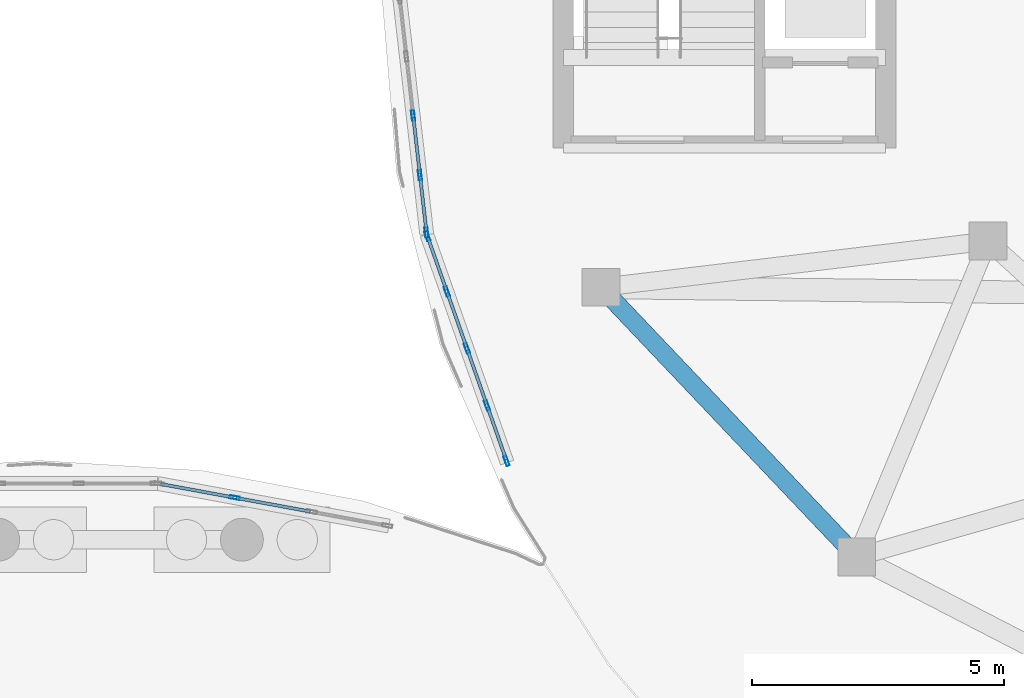
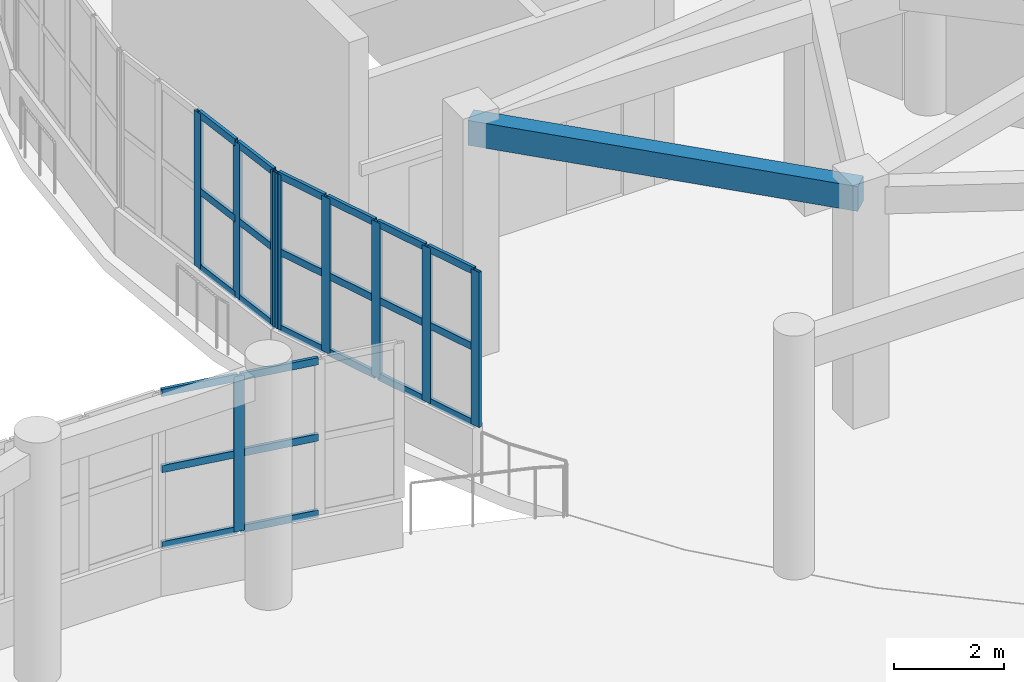
# One storey, part 39 of 96: 33 members, 1 beam, 3 elements without a shape of their own.
"""IFC4 building model written with IfcOpenShell, lengths in metres."""

from ifc_helpers import new_model, si_unit, direction, frame, origin, origin_2d, place, context, subcontext, project, spatial, rectangle, hollow_rectangle, extrude, material, layer, layer_set, material_profile, profile_set, type_object, element, aggregate, save


model = new_model("IFC4")

# Units and contexts
model_context = context("Model", 3, precision=1e-05, world=origin(), true_north=direction((0.0, 1.0)))
body_context = subcontext(model_context, "Body", "Model", "MODEL_VIEW")
ifc_project = project(units=[si_unit("LENGTHUNIT", "METRE"), si_unit("AREAUNIT", "SQUARE_METRE"), si_unit("VOLUMEUNIT", "CUBIC_METRE"), si_unit("PLANEANGLEUNIT", "RADIAN"), si_unit("MASSUNIT", "GRAM", prefix="KILO")], contexts=[model_context])

# Site, building, storey
site_placement = place(None, origin())
site = spatial("IfcSite", under=ifc_project, at=site_placement, CompositionType="ELEMENT")
building_placement = place(site_placement, origin())
building = spatial("IfcBuilding", under=site, at=building_placement, Name="Pelvatis Terrace Science Centre", CompositionType="ELEMENT")
storey_placement = place(building_placement, origin())
storey = spatial("IfcBuildingStorey", under=building, at=storey_placement, Name="L00", CompositionType="ELEMENT", Elevation=0.0)

# Beam
ifc_material_1 = material(Name="Concrete C35/45", Category="concrete")
ifc_material_profile_1 = material_profile(ifc_material_1, rectangle(XDim=0.360107421875, YDim=0.550048828125, at=origin_2d()), Name="RC-BM 360x550")
ifc_profile_set_1 = profile_set([ifc_material_profile_1], Name="Concrete C35/45")
beam_type = type_object("IfcBeamType", Name="BM-RC-360x550", PredefinedType="BEAM", material=ifc_profile_set_1)
beam_placement = place(storey_placement, frame((87.548583984375, 76.43798828125, 4.864990234375), z_axis=(0.688284988325, -0.725440400616, 0.0), x_axis=(0.725440400616, 0.688284988325, 0.0)))
element("IfcBeam", 1, at=beam_placement, inside=storey, type_object=beam_type, Name="Beam BM-L00-2273", PredefinedType="BEAM", context=body_context, shape_type="SweptSolid", body=[
    extrude(rectangle(XDim=0.360107421875, YDim=0.550048828125, at=origin_2d()), origin(), (0.0, 0.0, 1.0), 7.37890625),
])

# Curtain wall, member
ifc_material_2 = material(Name="Bronze-anodised aluminium and laminated glass", Category="aluminium")
ifc_layer = layer(ifc_material_2, 0.199951171875)
ifc_layer_set = layer_set([ifc_layer], Name="Bronze-anodised aluminium and laminated glass")
curtain_wall_type = type_object("IfcCurtainWallType", Name="CW-RIBBON-B", PredefinedType="NOTDEFINED", material=ifc_layer_set)
curtain_wall_1_placement = place(storey_placement, origin())
curtain_wall_1 = element("IfcCurtainWall", 2, at=curtain_wall_1_placement, inside=storey, type_object=curtain_wall_type, Name="Ribbon curtain wall CW-045 (L00)", PredefinedType="NOTDEFINED")
ifc_material_3 = material(Name="Bronze-anodised aluminium 6063-T6", Category="aluminium")
ifc_material_profile_2 = material_profile(ifc_material_3, hollow_rectangle(XDim=0.06494140625, YDim=0.199951171875, WallThickness=0.00439453125, at=origin_2d()), Name="ALU-MUL 65x200")
ifc_profile_set_2 = profile_set([ifc_material_profile_2], Name="Bronze-anodised aluminium 6063-T6")
member_type_1 = type_object("IfcMemberType", Name="CWM-65x200", PredefinedType="MULLION", material=ifc_profile_set_2)
member_1_placement = place(storey_placement, frame((80.27685546875, 72.26171875, 1.02001953125), z_axis=(0.0, 0.0, 1.0), x_axis=(-0.181130259216, -0.983459114146, 0.0)))
member_1 = element("IfcMember", 3, at=member_1_placement, type_object=member_type_1, Name="CW-045 mullion 3", PredefinedType="MULLION", context=body_context, shape_type="SweptSolid", body=[
    extrude(hollow_rectangle(XDim=0.06494140625, YDim=0.199951171875, WallThickness=0.00439453125, at=origin_2d()), origin(), (0.0, 0.0, 1.0), 3.43994140625),
])

# Curtain wall, members
curtain_wall_2_placement = place(storey_placement, origin())
curtain_wall_2 = element("IfcCurtainWall", 4, at=curtain_wall_2_placement, inside=storey, type_object=curtain_wall_type, Name="Ribbon curtain wall CW-116 (L00)", PredefinedType="NOTDEFINED")
member_2_placement = place(storey_placement, frame((83.819580078125, 79.84423828125, 1.02001953125), z_axis=(0.0, 0.0, 1.0), x_axis=(0.993519479858, 0.113661968763, 0.0)))
member_2 = element("IfcMember", 5, at=member_2_placement, type_object=member_type_1, Name="CW-116 mullion 3", PredefinedType="MULLION", context=body_context, shape_type="SweptSolid", body=[
    extrude(hollow_rectangle(XDim=0.06494140625, YDim=0.199951171875, WallThickness=0.00439453125, at=origin_2d()), origin(), (0.0, 0.0, 1.0), 3.43994140625),
])
member_3_placement = place(storey_placement, frame((83.954345703125, 78.66650390625, 1.02001953125), z_axis=(0.0, 0.0, 1.0), x_axis=(0.993519479858, 0.113661968763, 0.0)))
member_3 = element("IfcMember", 6, at=member_3_placement, type_object=member_type_1, Name="CW-116 mullion 4", PredefinedType="MULLION", context=body_context, shape_type="SweptSolid", body=[
    extrude(hollow_rectangle(XDim=0.06494140625, YDim=0.199951171875, WallThickness=0.00439453125, at=origin_2d()), origin(), (0.0, 0.0, 1.0), 3.43994140625),
])
member_4_placement = place(storey_placement, frame((84.085205078125, 77.52099609375, 1.02001953125), z_axis=(0.0, 0.0, 1.0), x_axis=(0.993519479858, 0.113661968763, 0.0)))
member_4 = element("IfcMember", 7, at=member_4_placement, type_object=member_type_1, Name="CW-116 mullion 5", PredefinedType="MULLION", context=body_context, shape_type="SweptSolid", body=[
    extrude(hollow_rectangle(XDim=0.06494140625, YDim=0.199951171875, WallThickness=0.00439453125, at=origin_2d()), origin(), (0.0, 0.0, 1.0), 3.43994140625),
])

curtain_wall_3_placement = place(storey_placement, origin())
curtain_wall_3 = element("IfcCurtainWall", 8, at=curtain_wall_3_placement, inside=storey, type_object=curtain_wall_type, Name="Ribbon curtain wall CW-117 (L00)", PredefinedType="NOTDEFINED")
member_5_placement = place(storey_placement, frame((84.099853515625, 77.4580078125, 1.02001953125), z_axis=(0.0, 0.0, 1.0), x_axis=(0.943170837028, 0.332308248738, 0.0)))
member_5 = element("IfcMember", 9, at=member_5_placement, type_object=member_type_1, Name="CW-117 mullion 1", PredefinedType="MULLION", context=body_context, shape_type="SweptSolid", body=[
    extrude(hollow_rectangle(XDim=0.06494140625, YDim=0.199951171875, WallThickness=0.00439453125, at=origin_2d()), origin(), (0.0, 0.0, 1.0), 3.43994140625),
])
member_6_placement = place(storey_placement, frame((84.488037109375, 76.35595703125, 1.02001953125), z_axis=(0.0, 0.0, 1.0), x_axis=(0.943170837028, 0.332308248738, 0.0)))
member_6 = element("IfcMember", 10, at=member_6_placement, type_object=member_type_1, Name="CW-117 mullion 2", PredefinedType="MULLION", context=body_context, shape_type="SweptSolid", body=[
    extrude(hollow_rectangle(XDim=0.06494140625, YDim=0.199951171875, WallThickness=0.00439453125, at=origin_2d()), origin(), (0.0, 0.0, 1.0), 3.43994140625),
])
member_7_placement = place(storey_placement, frame((84.88720703125, 75.223388671875, 1.02001953125), z_axis=(0.0, 0.0, 1.0), x_axis=(0.943170837028, 0.332308248738, 0.0)))
member_7 = element("IfcMember", 11, at=member_7_placement, type_object=member_type_1, Name="CW-117 mullion 3", PredefinedType="MULLION", context=body_context, shape_type="SweptSolid", body=[
    extrude(hollow_rectangle(XDim=0.06494140625, YDim=0.199951171875, WallThickness=0.00439453125, at=origin_2d()), origin(), (0.0, 0.0, 1.0), 3.43994140625),
])
member_8_placement = place(storey_placement, frame((85.2861328125, 74.0908203125, 1.02001953125), z_axis=(0.0, 0.0, 1.0), x_axis=(0.943170837028, 0.332308248738, 0.0)))
member_8 = element("IfcMember", 12, at=member_8_placement, type_object=member_type_1, Name="CW-117 mullion 4", PredefinedType="MULLION", context=body_context, shape_type="SweptSolid", body=[
    extrude(hollow_rectangle(XDim=0.06494140625, YDim=0.199951171875, WallThickness=0.00439453125, at=origin_2d()), origin(), (0.0, 0.0, 1.0), 3.43994140625),
])
member_9_placement = place(storey_placement, frame((85.67431640625, 72.98876953125, 1.02001953125), z_axis=(0.0, 0.0, 1.0), x_axis=(0.943170837028, 0.332308248738, 0.0)))
member_9 = element("IfcMember", 13, at=member_9_placement, type_object=member_type_1, Name="CW-117 mullion 5", PredefinedType="MULLION", context=body_context, shape_type="SweptSolid", body=[
    extrude(hollow_rectangle(XDim=0.06494140625, YDim=0.199951171875, WallThickness=0.00439453125, at=origin_2d()), origin(), (0.0, 0.0, 1.0), 3.43994140625),
])

# Member
ifc_material_4 = material(Name="Bronze-anodised aluminium 6063-T6", Category="aluminium")
ifc_material_profile_3 = material_profile(ifc_material_4, hollow_rectangle(XDim=0.06494140625, YDim=0.159912109375, WallThickness=0.00390625, at=origin_2d()), Name="ALU-TRN 65x160")
ifc_profile_set_3 = profile_set([ifc_material_profile_3], Name="Bronze-anodised aluminium 6063-T6")
member_type_2 = type_object("IfcMemberType", Name="CWT-65x160", PredefinedType="USERDEFINED", material=ifc_profile_set_3)
member_10_placement = place(storey_placement, frame((81.775146484375, 71.98583984375, 1.052490234375), z_axis=(-0.983463935148, 0.181104081298, 0.0), x_axis=(-0.181104081298, -0.983463935148, 0.0)))
member_10 = element("IfcMember", 14, at=member_10_placement, type_object=member_type_2, Name="CW-045 transom 2.1", ObjectType="TRANSOM", PredefinedType="USERDEFINED", context=body_context, shape_type="SweptSolid", body=[
    extrude(hollow_rectangle(XDim=0.06494140625, YDim=0.159912109375, WallThickness=0.00390625, at=origin_2d()), origin(), (0.0, 0.0, 1.0), 1.490966796875),
])

member_11_placement = place(storey_placement, frame((81.775146484375, 71.98583984375, 2.739990234375), z_axis=(-0.983463935148, 0.181104081298, 0.0), x_axis=(-0.181104081298, -0.983463935148, 0.0)))
member_11 = element("IfcMember", 15, at=member_11_placement, type_object=member_type_2, Name="CW-045 transom 2.2", ObjectType="TRANSOM", PredefinedType="USERDEFINED", context=body_context, shape_type="SweptSolid", body=[
    extrude(hollow_rectangle(XDim=0.06494140625, YDim=0.159912109375, WallThickness=0.00390625, at=origin_2d()), origin(), (0.0, 0.0, 1.0), 1.490966796875),
])

member_12_placement = place(storey_placement, frame((81.775146484375, 71.98583984375, 4.427490234375), z_axis=(-0.983463935148, 0.181104081298, 0.0), x_axis=(-0.181104081298, -0.983463935148, 0.0)))
member_12 = element("IfcMember", 16, at=member_12_placement, type_object=member_type_2, Name="CW-045 transom 2.3", ObjectType="TRANSOM", PredefinedType="USERDEFINED", context=body_context, shape_type="SweptSolid", body=[
    extrude(hollow_rectangle(XDim=0.06494140625, YDim=0.159912109375, WallThickness=0.00390625, at=origin_2d()), origin(), (0.0, 0.0, 1.0), 1.490966796875),
])

member_13_placement = place(storey_placement, frame((80.244873046875, 72.267578125, 1.052490234375), z_axis=(-0.9834602515, 0.181124083766, 0.0), x_axis=(-0.181124083766, -0.9834602515, 0.0)))
member_13 = element("IfcMember", 17, at=member_13_placement, type_object=member_type_2, Name="CW-045 transom 3.1", ObjectType="TRANSOM", PredefinedType="USERDEFINED", context=body_context, shape_type="SweptSolid", body=[
    extrude(hollow_rectangle(XDim=0.06494140625, YDim=0.159912109375, WallThickness=0.00390625, at=origin_2d()), origin(), (0.0, 0.0, 1.0), 1.45849609375),
])

member_14_placement = place(storey_placement, frame((80.244873046875, 72.267578125, 2.739990234375), z_axis=(-0.9834602515, 0.181124083766, 0.0), x_axis=(-0.181124083766, -0.9834602515, 0.0)))
member_14 = element("IfcMember", 18, at=member_14_placement, type_object=member_type_2, Name="CW-045 transom 3.2", ObjectType="TRANSOM", PredefinedType="USERDEFINED", context=body_context, shape_type="SweptSolid", body=[
    extrude(hollow_rectangle(XDim=0.06494140625, YDim=0.159912109375, WallThickness=0.00390625, at=origin_2d()), origin(), (0.0, 0.0, 1.0), 1.45849609375),
])

member_15_placement = place(storey_placement, frame((80.244873046875, 72.267578125, 4.427490234375), z_axis=(-0.9834602515, 0.181124083766, 0.0), x_axis=(-0.181124083766, -0.9834602515, 0.0)))
member_15 = element("IfcMember", 19, at=member_15_placement, type_object=member_type_2, Name="CW-045 transom 3.3", ObjectType="TRANSOM", PredefinedType="USERDEFINED", context=body_context, shape_type="SweptSolid", body=[
    extrude(hollow_rectangle(XDim=0.06494140625, YDim=0.159912109375, WallThickness=0.00390625, at=origin_2d()), origin(), (0.0, 0.0, 1.0), 1.45849609375),
])

aggregate(curtain_wall_1, [member_1, member_10, member_11, member_12, member_13, member_14, member_15])

member_16_placement = place(storey_placement, frame((83.8232421875, 79.81201171875, 1.052490234375), z_axis=(0.113515866586, -0.993536183555, 0.0), x_axis=(0.993536183555, 0.113515866586, 0.0)))
member_16 = element("IfcMember", 20, at=member_16_placement, type_object=member_type_2, Name="CW-116 transom 3.1", ObjectType="TRANSOM", PredefinedType="USERDEFINED", context=body_context, shape_type="SweptSolid", body=[
    extrude(hollow_rectangle(XDim=0.06494140625, YDim=0.159912109375, WallThickness=0.00390625, at=origin_2d()), origin(), (0.0, 0.0, 1.0), 1.12060546875),
])

member_17_placement = place(storey_placement, frame((83.8232421875, 79.81201171875, 2.739990234375), z_axis=(0.113515866586, -0.993536183555, 0.0), x_axis=(0.993536183555, 0.113515866586, 0.0)))
member_17 = element("IfcMember", 21, at=member_17_placement, type_object=member_type_2, Name="CW-116 transom 3.2", ObjectType="TRANSOM", PredefinedType="USERDEFINED", context=body_context, shape_type="SweptSolid", body=[
    extrude(hollow_rectangle(XDim=0.06494140625, YDim=0.159912109375, WallThickness=0.00390625, at=origin_2d()), origin(), (0.0, 0.0, 1.0), 1.12060546875),
])

member_18_placement = place(storey_placement, frame((83.8232421875, 79.81201171875, 4.427490234375), z_axis=(0.113515866586, -0.993536183555, 0.0), x_axis=(0.993536183555, 0.113515866586, 0.0)))
member_18 = element("IfcMember", 22, at=member_18_placement, type_object=member_type_2, Name="CW-116 transom 3.3", ObjectType="TRANSOM", PredefinedType="USERDEFINED", context=body_context, shape_type="SweptSolid", body=[
    extrude(hollow_rectangle(XDim=0.06494140625, YDim=0.159912109375, WallThickness=0.00390625, at=origin_2d()), origin(), (0.0, 0.0, 1.0), 1.12060546875),
])

member_19_placement = place(storey_placement, frame((83.9580078125, 78.63427734375, 1.052490234375), z_axis=(0.113533935007, -0.993534118992, 0.0), x_axis=(0.993534118992, 0.113533935007, 0.0)))
member_19 = element("IfcMember", 23, at=member_19_placement, type_object=member_type_2, Name="CW-116 transom 4.1", ObjectType="TRANSOM", PredefinedType="USERDEFINED", context=body_context, shape_type="SweptSolid", body=[
    extrude(hollow_rectangle(XDim=0.06494140625, YDim=0.159912109375, WallThickness=0.00390625, at=origin_2d()), origin(), (0.0, 0.0, 1.0), 1.088134765625),
])

member_20_placement = place(storey_placement, frame((83.9580078125, 78.63427734375, 2.739990234375), z_axis=(0.113533935007, -0.993534118992, 0.0), x_axis=(0.993534118992, 0.113533935007, 0.0)))
member_20 = element("IfcMember", 24, at=member_20_placement, type_object=member_type_2, Name="CW-116 transom 4.2", ObjectType="TRANSOM", PredefinedType="USERDEFINED", context=body_context, shape_type="SweptSolid", body=[
    extrude(hollow_rectangle(XDim=0.06494140625, YDim=0.159912109375, WallThickness=0.00390625, at=origin_2d()), origin(), (0.0, 0.0, 1.0), 1.088134765625),
])

member_21_placement = place(storey_placement, frame((83.9580078125, 78.63427734375, 4.427490234375), z_axis=(0.113533935007, -0.993534118992, 0.0), x_axis=(0.993534118992, 0.113533935007, 0.0)))
member_21 = element("IfcMember", 25, at=member_21_placement, type_object=member_type_2, Name="CW-116 transom 4.3", ObjectType="TRANSOM", PredefinedType="USERDEFINED", context=body_context, shape_type="SweptSolid", body=[
    extrude(hollow_rectangle(XDim=0.06494140625, YDim=0.159912109375, WallThickness=0.00390625, at=origin_2d()), origin(), (0.0, 0.0, 1.0), 1.088134765625),
])

aggregate(curtain_wall_2, [member_2, member_3, member_4, member_16, member_17, member_18, member_19, member_20, member_21])

member_22_placement = place(storey_placement, frame((84.110595703125, 77.42724609375, 1.052490234375), z_axis=(0.332380221601, -0.943145475676, 0.0), x_axis=(0.943145475676, 0.332380221601, 0.0)))
member_22 = element("IfcMember", 26, at=member_22_placement, type_object=member_type_2, Name="CW-117 transom 1.1", ObjectType="TRANSOM", PredefinedType="USERDEFINED", context=body_context, shape_type="SweptSolid", body=[
    extrude(hollow_rectangle(XDim=0.06494140625, YDim=0.159912109375, WallThickness=0.00390625, at=origin_2d()), origin(), (0.0, 0.0, 1.0), 1.103271484375),
])

member_23_placement = place(storey_placement, frame((84.110595703125, 77.42724609375, 2.739990234375), z_axis=(0.332380221601, -0.943145475676, 0.0), x_axis=(0.943145475676, 0.332380221601, 0.0)))
member_23 = element("IfcMember", 27, at=member_23_placement, type_object=member_type_2, Name="CW-117 transom 1.2", ObjectType="TRANSOM", PredefinedType="USERDEFINED", context=body_context, shape_type="SweptSolid", body=[
    extrude(hollow_rectangle(XDim=0.06494140625, YDim=0.159912109375, WallThickness=0.00390625, at=origin_2d()), origin(), (0.0, 0.0, 1.0), 1.103271484375),
])

member_24_placement = place(storey_placement, frame((84.110595703125, 77.42724609375, 4.427490234375), z_axis=(0.332380221601, -0.943145475676, 0.0), x_axis=(0.943145475676, 0.332380221601, 0.0)))
member_24 = element("IfcMember", 28, at=member_24_placement, type_object=member_type_2, Name="CW-117 transom 1.3", ObjectType="TRANSOM", PredefinedType="USERDEFINED", context=body_context, shape_type="SweptSolid", body=[
    extrude(hollow_rectangle(XDim=0.06494140625, YDim=0.159912109375, WallThickness=0.00390625, at=origin_2d()), origin(), (0.0, 0.0, 1.0), 1.103271484375),
])

member_25_placement = place(storey_placement, frame((84.498779296875, 76.325439453125, 1.052490234375), z_axis=(0.332302880193, -0.943172728516, 0.0), x_axis=(0.943172728516, 0.332302880193, 0.0)))
member_25 = element("IfcMember", 29, at=member_25_placement, type_object=member_type_2, Name="CW-117 transom 2.1", ObjectType="TRANSOM", PredefinedType="USERDEFINED", context=body_context, shape_type="SweptSolid", body=[
    extrude(hollow_rectangle(XDim=0.06494140625, YDim=0.159912109375, WallThickness=0.00390625, at=origin_2d()), origin(), (0.0, 0.0, 1.0), 1.1357421875),
])

member_26_placement = place(storey_placement, frame((84.498779296875, 76.325439453125, 2.739990234375), z_axis=(0.332302880193, -0.943172728516, 0.0), x_axis=(0.943172728516, 0.332302880193, 0.0)))
member_26 = element("IfcMember", 30, at=member_26_placement, type_object=member_type_2, Name="CW-117 transom 2.2", ObjectType="TRANSOM", PredefinedType="USERDEFINED", context=body_context, shape_type="SweptSolid", body=[
    extrude(hollow_rectangle(XDim=0.06494140625, YDim=0.159912109375, WallThickness=0.00390625, at=origin_2d()), origin(), (0.0, 0.0, 1.0), 1.1357421875),
])

member_27_placement = place(storey_placement, frame((84.498779296875, 76.325439453125, 4.427490234375), z_axis=(0.332302880193, -0.943172728516, 0.0), x_axis=(0.943172728516, 0.332302880193, 0.0)))
member_27 = element("IfcMember", 31, at=member_27_placement, type_object=member_type_2, Name="CW-117 transom 2.3", ObjectType="TRANSOM", PredefinedType="USERDEFINED", context=body_context, shape_type="SweptSolid", body=[
    extrude(hollow_rectangle(XDim=0.06494140625, YDim=0.159912109375, WallThickness=0.00390625, at=origin_2d()), origin(), (0.0, 0.0, 1.0), 1.1357421875),
])

member_28_placement = place(storey_placement, frame((84.89794921875, 75.192626953125, 1.052490234375), z_axis=(0.332302880193, -0.943172728516, 0.0), x_axis=(0.943172728516, 0.332302880193, 0.0)))
member_28 = element("IfcMember", 32, at=member_28_placement, type_object=member_type_2, Name="CW-117 transom 3.1", ObjectType="TRANSOM", PredefinedType="USERDEFINED", context=body_context, shape_type="SweptSolid", body=[
    extrude(hollow_rectangle(XDim=0.06494140625, YDim=0.159912109375, WallThickness=0.00390625, at=origin_2d()), origin(), (0.0, 0.0, 1.0), 1.1357421875),
])

member_29_placement = place(storey_placement, frame((84.89794921875, 75.192626953125, 2.739990234375), z_axis=(0.332302880193, -0.943172728516, 0.0), x_axis=(0.943172728516, 0.332302880193, 0.0)))
member_29 = element("IfcMember", 33, at=member_29_placement, type_object=member_type_2, Name="CW-117 transom 3.2", ObjectType="TRANSOM", PredefinedType="USERDEFINED", context=body_context, shape_type="SweptSolid", body=[
    extrude(hollow_rectangle(XDim=0.06494140625, YDim=0.159912109375, WallThickness=0.00390625, at=origin_2d()), origin(), (0.0, 0.0, 1.0), 1.1357421875),
])

member_30_placement = place(storey_placement, frame((84.89794921875, 75.192626953125, 4.427490234375), z_axis=(0.332302880193, -0.943172728516, 0.0), x_axis=(0.943172728516, 0.332302880193, 0.0)))
member_30 = element("IfcMember", 34, at=member_30_placement, type_object=member_type_2, Name="CW-117 transom 3.3", ObjectType="TRANSOM", PredefinedType="USERDEFINED", context=body_context, shape_type="SweptSolid", body=[
    extrude(hollow_rectangle(XDim=0.06494140625, YDim=0.159912109375, WallThickness=0.00390625, at=origin_2d()), origin(), (0.0, 0.0, 1.0), 1.1357421875),
])

member_31_placement = place(storey_placement, frame((85.296875, 74.06005859375, 1.052490234375), z_axis=(0.332380221601, -0.943145475676, 0.0), x_axis=(0.943145475676, 0.332380221601, 0.0)))
member_31 = element("IfcMember", 35, at=member_31_placement, type_object=member_type_2, Name="CW-117 transom 4.1", ObjectType="TRANSOM", PredefinedType="USERDEFINED", context=body_context, shape_type="SweptSolid", body=[
    extrude(hollow_rectangle(XDim=0.06494140625, YDim=0.159912109375, WallThickness=0.00390625, at=origin_2d()), origin(), (0.0, 0.0, 1.0), 1.103271484375),
])

member_32_placement = place(storey_placement, frame((85.296875, 74.06005859375, 2.739990234375), z_axis=(0.332380221601, -0.943145475676, 0.0), x_axis=(0.943145475676, 0.332380221601, 0.0)))
member_32 = element("IfcMember", 36, at=member_32_placement, type_object=member_type_2, Name="CW-117 transom 4.2", ObjectType="TRANSOM", PredefinedType="USERDEFINED", context=body_context, shape_type="SweptSolid", body=[
    extrude(hollow_rectangle(XDim=0.06494140625, YDim=0.159912109375, WallThickness=0.00390625, at=origin_2d()), origin(), (0.0, 0.0, 1.0), 1.103271484375),
])

member_33_placement = place(storey_placement, frame((85.296875, 74.06005859375, 4.427490234375), z_axis=(0.332380221601, -0.943145475676, 0.0), x_axis=(0.943145475676, 0.332380221601, 0.0)))
member_33 = element("IfcMember", 37, at=member_33_placement, type_object=member_type_2, Name="CW-117 transom 4.3", ObjectType="TRANSOM", PredefinedType="USERDEFINED", context=body_context, shape_type="SweptSolid", body=[
    extrude(hollow_rectangle(XDim=0.06494140625, YDim=0.159912109375, WallThickness=0.00390625, at=origin_2d()), origin(), (0.0, 0.0, 1.0), 1.103271484375),
])

aggregate(curtain_wall_3, [member_5, member_6, member_7, member_8, member_9, member_22, member_23, member_24, member_25, member_26, member_27, member_28, member_29, member_30, member_31, member_32, member_33])

save(model, "model.ifc")
